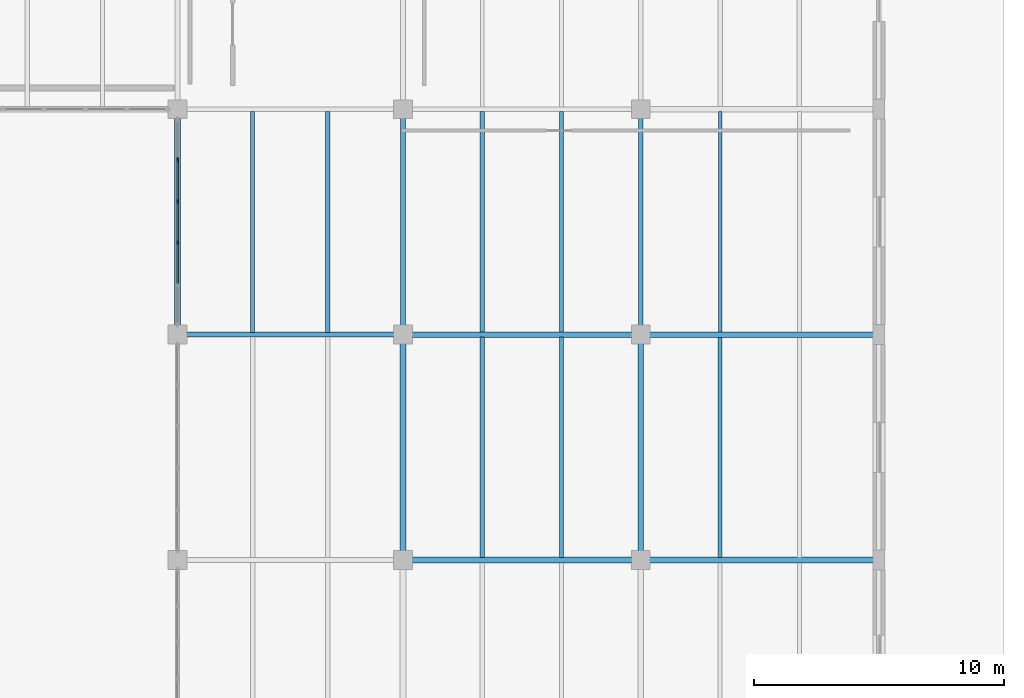
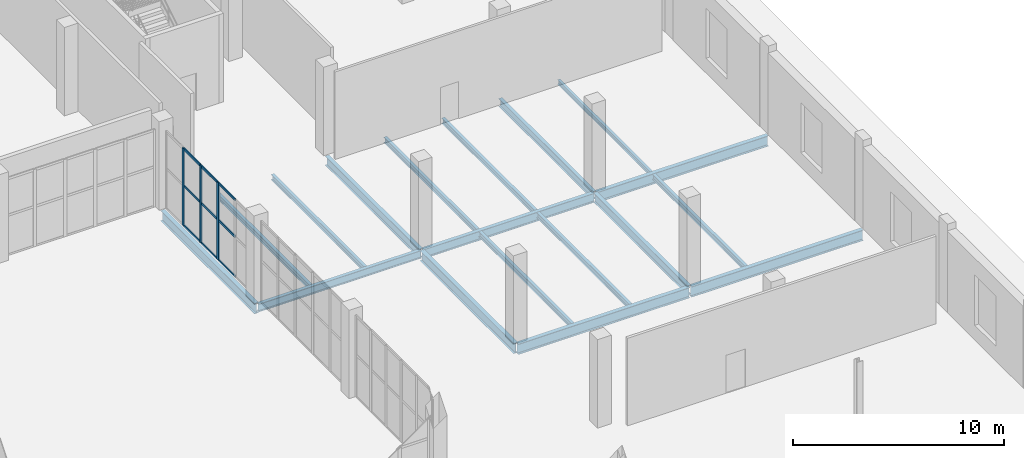
# One storey, part 60 of 103: 18 beams, 12 members, 1 element without a shape of its own.
"""IFC4 building model written with IfcOpenShell, lengths in metres."""

from ifc_helpers import new_model, si_unit, direction, frame, origin, origin_2d, place, context, subcontext, project, spatial, rectangle, i_section, extrude, material, layer, layer_set, material_profile, profile_set, type_object, element, aggregate, save


model = new_model("IFC4")

# Units and contexts
model_context = context("Model", 3, precision=1e-05, world=origin(), true_north=direction((0.0, 1.0)))
body_context = subcontext(model_context, "Body", "Model", "MODEL_VIEW")
ifc_project = project(units=[si_unit("LENGTHUNIT", "METRE"), si_unit("AREAUNIT", "SQUARE_METRE"), si_unit("VOLUMEUNIT", "CUBIC_METRE"), si_unit("PLANEANGLEUNIT", "RADIAN"), si_unit("MASSUNIT", "GRAM", prefix="KILO")], contexts=[model_context])

# Site, building, storey
site_placement = place(None, origin())
site = spatial("IfcSite", under=ifc_project, at=site_placement, CompositionType="ELEMENT")
building_placement = place(site_placement, origin())
building = spatial("IfcBuilding", under=site, at=building_placement, Name="Marnock Terrace Opera House", CompositionType="ELEMENT")
storey_placement = place(building_placement, origin())
storey = spatial("IfcBuildingStorey", under=building, at=storey_placement, Name="L00", CompositionType="ELEMENT", Elevation=0.0)

# Beams
ifc_material_1 = material(Name="Steel Grade 350 (AS/NZS 3679.1)", Category="steel")
ifc_material_profile_1 = material_profile(ifc_material_1, i_section(OverallWidth=0.19091796875, OverallDepth=0.46044921875, WebThickness=0.010009765625, FlangeThickness=0.01611328125, FilletRadius=0.011474609375, at=origin_2d()))
ifc_profile_set_1 = profile_set([ifc_material_profile_1], Name="Steel Grade 350 (AS/NZS 3679.1)")
beam_type_1 = type_object("IfcBeamType", Name="BM-GIRD-460A", PredefinedType="BEAM", material=ifc_profile_set_1)
beam_1_placement = place(storey_placement, frame((136.050048828125, 57.0, -0.5302734375), z_axis=(1.0, 0.0, 0.0), x_axis=(0.0, 1.0, 0.0)))
element("IfcBeam", 1, at=beam_1_placement, inside=storey, type_object=beam_type_1, Name="L00 girder (136.0..145.0, Y=57.0)", PredefinedType="BEAM", context=body_context, shape_type="SweptSolid", body=[
    extrude(i_section(OverallWidth=0.19091796875, OverallDepth=0.46044921875, WebThickness=0.010009765625, FlangeThickness=0.01611328125, FilletRadius=0.011474609375, at=origin_2d()), origin(), (0.0, 0.0, 1.0), 8.89990234375),
])
ifc_material_profile_2 = material_profile(ifc_material_1, i_section(OverallWidth=0.18994140625, OverallDepth=0.45751953125, WebThickness=0.009033203125, FlangeThickness=0.014404296875, FilletRadius=0.011474609375, at=origin_2d()))
ifc_profile_set_2 = profile_set([ifc_material_profile_2], Name="Steel Grade 350 (AS/NZS 3679.1)")
beam_type_2 = type_object("IfcBeamType", Name="BM-GIRD-460B", PredefinedType="BEAM", material=ifc_profile_set_2)
beam_2_placement = place(storey_placement, frame((154.5, 57.050048828125, -0.52880859375), z_axis=(0.0, 1.0, 0.0), x_axis=(-1.0, 0.0, 0.0)))
element("IfcBeam", 2, at=beam_2_placement, inside=storey, type_object=beam_type_2, Name="L00 girder (X=154.5, 57.0..66.0)", PredefinedType="BEAM", context=body_context, shape_type="SweptSolid", body=[
    extrude(i_section(OverallWidth=0.18994140625, OverallDepth=0.45751953125, WebThickness=0.009033203125, FlangeThickness=0.014404296875, FilletRadius=0.011474609375, at=origin_2d()), origin(), (0.0, 0.0, 1.0), 8.89990234375),
])
ifc_material_profile_3 = material_profile(ifc_material_1, i_section(OverallWidth=0.208984375, OverallDepth=0.532958984375, WebThickness=0.01025390625, FlangeThickness=0.015625, FilletRadius=0.013916015625, at=origin_2d()))
ifc_profile_set_3 = profile_set([ifc_material_profile_3], Name="Steel Grade 350 (AS/NZS 3679.1)")
beam_type_3 = type_object("IfcBeamType", Name="BM-GIRD-530A", PredefinedType="BEAM", material=ifc_profile_set_3)
beam_3_placement = place(storey_placement, frame((145.050048828125, 57.0, -0.56640625), z_axis=(1.0, 0.0, 0.0), x_axis=(0.0, 1.0, 0.0)))
element("IfcBeam", 3, at=beam_3_placement, inside=storey, type_object=beam_type_3, Name="L00 girder (145.0..154.5, Y=57.0)", PredefinedType="BEAM", context=body_context, shape_type="SweptSolid", body=[
    extrude(i_section(OverallWidth=0.208984375, OverallDepth=0.532958984375, WebThickness=0.01025390625, FlangeThickness=0.015625, FilletRadius=0.013916015625, at=origin_2d()), origin(), (0.0, 0.0, 1.0), 9.39990234375),
])
ifc_material_profile_4 = material_profile(ifc_material_1, i_section(OverallWidth=0.208984375, OverallDepth=0.528076171875, WebThickness=0.009521484375, FlangeThickness=0.01318359375, FilletRadius=0.013916015625, at=origin_2d()))
ifc_profile_set_4 = profile_set([ifc_material_profile_4], Name="Steel Grade 350 (AS/NZS 3679.1)")
beam_type_4 = type_object("IfcBeamType", Name="BM-GIRD-530B", PredefinedType="BEAM", material=ifc_profile_set_4)
for number, where, z_axis, x_axis, name in (
    (4, (145.0, 57.050048828125, -0.56396484375), (0.0, 1.0, 0.0), (-1.0, 0.0, 0.0), "L00 girder (X=145.0, 57.0..66.0)"),
    (5, (154.5, 48.050048828125, -0.56396484375), (0.0, 1.0, 0.0), (-1.0, 0.0, 0.0), "L00 girder (X=154.5, 48.0..57.0)"),
):
    element("IfcBeam", number, at=place(storey_placement, frame(where, z_axis=z_axis, x_axis=x_axis)), inside=storey, type_object=beam_type_4, Name=name, PredefinedType="BEAM", context=body_context, shape_type="SweptSolid", body=[
        extrude(i_section(OverallWidth=0.208984375, OverallDepth=0.528076171875, WebThickness=0.009521484375, FlangeThickness=0.01318359375, FilletRadius=0.013916015625, at=origin_2d()), origin(), (0.0, 0.0, 1.0), 8.89990234375),
    ])
ifc_material_profile_5 = material_profile(ifc_material_1, i_section(OverallWidth=0.22900390625, OverallDepth=0.611572265625, WebThickness=0.011962890625, FlangeThickness=0.01953125, FilletRadius=0.013916015625, at=origin_2d()))
ifc_profile_set_5 = profile_set([ifc_material_profile_5], Name="Steel Grade 350 (AS/NZS 3679.1)")
beam_type_5 = type_object("IfcBeamType", Name="BM-GIRD-610A", PredefinedType="BEAM", material=ifc_profile_set_5)
beam_4_placement = place(storey_placement, frame((154.550048828125, 48.0, -0.605712890625), z_axis=(1.0, 0.0, 0.0), x_axis=(0.0, 1.0, 0.0)))
element("IfcBeam", 6, at=beam_4_placement, inside=storey, type_object=beam_type_5, Name="L00 girder (154.5..164.0, Y=48.0)", PredefinedType="BEAM", context=body_context, shape_type="SweptSolid", body=[
    extrude(i_section(OverallWidth=0.22900390625, OverallDepth=0.611572265625, WebThickness=0.011962890625, FlangeThickness=0.01953125, FilletRadius=0.013916015625, at=origin_2d()), origin(), (0.0, 0.0, 1.0), 9.39990234375),
])
ifc_material_profile_6 = material_profile(ifc_material_1, i_section(OverallWidth=0.22802734375, OverallDepth=0.60693359375, WebThickness=0.01123046875, FlangeThickness=0.017333984375, FilletRadius=0.013916015625, at=origin_2d()))
ifc_profile_set_6 = profile_set([ifc_material_profile_6], Name="Steel Grade 350 (AS/NZS 3679.1)")
beam_type_6 = type_object("IfcBeamType", Name="BM-GIRD-610B", PredefinedType="BEAM", material=ifc_profile_set_6)
for number, where, z_axis, x_axis, name in (
    (7, (145.050048828125, 48.0, -0.603515625), (1.0, 0.0, 0.0), (0.0, 1.0, 0.0), "L00 girder (145.0..154.5, Y=48.0)"),
    (8, (154.550048828125, 57.0, -0.603515625), (1.0, 0.0, 0.0), (0.0, 1.0, 0.0), "L00 girder (154.5..164.0, Y=57.0)"),
):
    element("IfcBeam", number, at=place(storey_placement, frame(where, z_axis=z_axis, x_axis=x_axis)), inside=storey, type_object=beam_type_6, Name=name, PredefinedType="BEAM", context=body_context, shape_type="SweptSolid", body=[
        extrude(i_section(OverallWidth=0.22802734375, OverallDepth=0.60693359375, WebThickness=0.01123046875, FlangeThickness=0.017333984375, FilletRadius=0.013916015625, at=origin_2d()), origin(), (0.0, 0.0, 1.0), 9.39990234375),
    ])
ifc_material_profile_7 = material_profile(ifc_material_1, i_section(OverallWidth=0.22802734375, OverallDepth=0.60205078125, WebThickness=0.010498046875, FlangeThickness=0.014892578125, FilletRadius=0.013916015625, at=origin_2d()))
ifc_profile_set_7 = profile_set([ifc_material_profile_7], Name="Steel Grade 350 (AS/NZS 3679.1)")
beam_type_7 = type_object("IfcBeamType", Name="BM-GIRD-610C", PredefinedType="BEAM", material=ifc_profile_set_7)
for number, where, z_axis, x_axis, name in (
    (9, (136.0, 57.050048828125, -0.60107421875), (0.0, 1.0, 0.0), (-1.0, 0.0, 0.0), "L00 girder (X=136.0, 57.0..66.0)"),
    (10, (145.0, 48.050048828125, -0.60107421875), (0.0, 1.0, 0.0), (-1.0, 0.0, 0.0), "L00 girder (X=145.0, 48.0..57.0)"),
):
    element("IfcBeam", number, at=place(storey_placement, frame(where, z_axis=z_axis, x_axis=x_axis)), inside=storey, type_object=beam_type_7, Name=name, PredefinedType="BEAM", context=body_context, shape_type="SweptSolid", body=[
        extrude(i_section(OverallWidth=0.22802734375, OverallDepth=0.60205078125, WebThickness=0.010498046875, FlangeThickness=0.014892578125, FilletRadius=0.013916015625, at=origin_2d()), origin(), (0.0, 0.0, 1.0), 8.89990234375),
    ])
ifc_material_profile_8 = material_profile(ifc_material_1, i_section(OverallWidth=0.14599609375, OverallDepth=0.256103515625, WebThickness=0.00634765625, FlangeThickness=0.010986328125, FilletRadius=0.0087890625, at=origin_2d()))
ifc_profile_set_8 = profile_set([ifc_material_profile_8], Name="Steel Grade 350 (AS/NZS 3679.1)")
beam_type_8 = type_object("IfcBeamType", Name="BM-JOIST-250", PredefinedType="JOIST", material=ifc_profile_set_8)
beam_5_placement = place(storey_placement, frame((157.666748046875, 57.10888671875, -0.427978515625), z_axis=(0.0, 1.0, 0.0), x_axis=(-1.0, 0.0, 0.0)))
element("IfcBeam", 11, at=beam_5_placement, inside=storey, type_object=beam_type_8, Name="L00 secondary joist 17.7.1", PredefinedType="JOIST", context=body_context, shape_type="SweptSolid", body=[
    extrude(i_section(OverallWidth=0.14599609375, OverallDepth=0.256103515625, WebThickness=0.00634765625, FlangeThickness=0.010986328125, FilletRadius=0.0087890625, at=origin_2d()), origin(), (0.0, 0.0, 1.0), 8.79150390625),
])
ifc_material_profile_9 = material_profile(ifc_material_1, i_section(OverallWidth=0.166015625, OverallDepth=0.30712890625, WebThickness=0.006591796875, FlangeThickness=0.01171875, FilletRadius=0.011474609375, at=origin_2d()))
ifc_profile_set_9 = profile_set([ifc_material_profile_9], Name="Steel Grade 350 (AS/NZS 3679.1)")
beam_type_9 = type_object("IfcBeamType", Name="BM-JOIST-310A", PredefinedType="JOIST", material=ifc_profile_set_9)
for number, where, z_axis, x_axis, name in (
    (12, (139.0, 57.090576171875, -0.45361328125), (0.0, 1.0, 0.0), (-1.0, 0.0, 0.0), "L00 secondary joist 15.7.1"),
    (13, (142.0, 57.090576171875, -0.45361328125), (0.0, 1.0, 0.0), (-1.0, 0.0, 0.0), "L00 secondary joist 15.7.2"),
):
    element("IfcBeam", number, at=place(storey_placement, frame(where, z_axis=z_axis, x_axis=x_axis)), inside=storey, type_object=beam_type_9, Name=name, PredefinedType="JOIST", context=body_context, shape_type="SweptSolid", body=[
        extrude(i_section(OverallWidth=0.166015625, OverallDepth=0.30712890625, WebThickness=0.006591796875, FlangeThickness=0.01171875, FilletRadius=0.011474609375, at=origin_2d()), origin(), (0.0, 0.0, 1.0), 8.825439453125),
    ])
for number, where, z_axis, x_axis, name in (
    (14, (148.166748046875, 48.10888671875, -0.45361328125), (0.0, 1.0, 0.0), (-1.0, 0.0, 0.0), "L00 secondary joist 16.6.1"),
    (15, (151.333251953125, 48.10888671875, -0.45361328125), (0.0, 1.0, 0.0), (-1.0, 0.0, 0.0), "L00 secondary joist 16.6.2"),
):
    element("IfcBeam", number, at=place(storey_placement, frame(where, z_axis=z_axis, x_axis=x_axis)), inside=storey, type_object=beam_type_9, Name=name, PredefinedType="JOIST", context=body_context, shape_type="SweptSolid", body=[
        extrude(i_section(OverallWidth=0.166015625, OverallDepth=0.30712890625, WebThickness=0.006591796875, FlangeThickness=0.01171875, FilletRadius=0.011474609375, at=origin_2d()), origin(), (0.0, 0.0, 1.0), 8.79150390625),
    ])
ifc_material_profile_10 = material_profile(ifc_material_1, i_section(OverallWidth=0.1650390625, OverallDepth=0.3037109375, WebThickness=0.006103515625, FlangeThickness=0.01025390625, FilletRadius=0.011474609375, at=origin_2d()))
ifc_profile_set_10 = profile_set([ifc_material_profile_10], Name="Steel Grade 350 (AS/NZS 3679.1)")
beam_type_10 = type_object("IfcBeamType", Name="BM-JOIST-310B", PredefinedType="JOIST", material=ifc_profile_set_10)
for number, where, z_axis, x_axis, name in (
    (16, (148.166748046875, 57.099609375, -0.451904296875), (0.0, 1.0, 0.0), (-1.0, 0.0, 0.0), "L00 secondary joist 16.7.1"),
    (17, (151.333251953125, 57.099609375, -0.451904296875), (0.0, 1.0, 0.0), (-1.0, 0.0, 0.0), "L00 secondary joist 16.7.2"),
):
    element("IfcBeam", number, at=place(storey_placement, frame(where, z_axis=z_axis, x_axis=x_axis)), inside=storey, type_object=beam_type_10, Name=name, PredefinedType="JOIST", context=body_context, shape_type="SweptSolid", body=[
        extrude(i_section(OverallWidth=0.1650390625, OverallDepth=0.3037109375, WebThickness=0.006103515625, FlangeThickness=0.01025390625, FilletRadius=0.011474609375, at=origin_2d()), origin(), (0.0, 0.0, 1.0), 8.809814453125),
    ])
beam_6_placement = place(storey_placement, frame((157.666748046875, 48.109619140625, -0.451904296875), z_axis=(0.0, 1.0, 0.0), x_axis=(-1.0, 0.0, 0.0)))
element("IfcBeam", 18, at=beam_6_placement, inside=storey, type_object=beam_type_10, Name="L00 secondary joist 17.6.1", PredefinedType="JOIST", context=body_context, shape_type="SweptSolid", body=[
    extrude(i_section(OverallWidth=0.1650390625, OverallDepth=0.3037109375, WebThickness=0.006103515625, FlangeThickness=0.01025390625, FilletRadius=0.011474609375, at=origin_2d()), origin(), (0.0, 0.0, 1.0), 8.781494140625),
])

# Curtain wall, members
ifc_material_2 = material(Name="Anodised architectural bronze aluminium framing", Category="aluminium")
ifc_layer = layer(ifc_material_2, 0.159912109375)
ifc_layer_set = layer_set([ifc_layer], Name="Anodised architectural bronze aluminium framing")
curtain_wall_type = type_object("IfcCurtainWallType", Name="CW-LOGGIA-86x51", PredefinedType="NOTDEFINED", material=ifc_layer_set)
curtain_wall_placement = place(storey_placement, origin())
curtain_wall = element("IfcCurtainWall", 19, at=curtain_wall_placement, inside=storey, type_object=curtain_wall_type, Name="L00 glazed Beaux-Arts colonnade curtain wall CW-V5-L00-CE3", PredefinedType="NOTDEFINED")
ifc_material_profile_11 = material_profile(ifc_material_2, rectangle(XDim=0.06494140625, YDim=0.179931640625, at=origin_2d()))
ifc_profile_set_11 = profile_set([ifc_material_profile_11], Name="Anodised architectural bronze aluminium framing")
member_type_1 = type_object("IfcMemberType", Name="CWM-65x180", PredefinedType="MULLION", material=ifc_profile_set_11)
member_1_placement = place(storey_placement, frame((136.0, 60.67431640625, 0.0), z_axis=(0.0, 0.0, 1.0), x_axis=(-1.0, 0.0, 0.0)))
member_1 = element("IfcMember", 20, at=member_1_placement, type_object=member_type_1, Name="CW-96 mullion 3", PredefinedType="MULLION", context=body_context, shape_type="SweptSolid", body=[
    extrude(rectangle(XDim=0.06494140625, YDim=0.179931640625, at=origin_2d()), origin(), (0.0, 0.0, 1.0), 4.488037109375),
])
member_2_placement = place(storey_placement, frame((136.0, 62.32568359375, 0.0), z_axis=(0.0, 0.0, 1.0), x_axis=(-1.0, 0.0, 0.0)))
member_2 = element("IfcMember", 21, at=member_2_placement, type_object=member_type_1, Name="CW-96 mullion 4", PredefinedType="MULLION", context=body_context, shape_type="SweptSolid", body=[
    extrude(rectangle(XDim=0.06494140625, YDim=0.179931640625, at=origin_2d()), origin(), (0.0, 0.0, 1.0), 4.488037109375),
])
member_3_placement = place(storey_placement, frame((136.0, 63.977294921875, 0.0), z_axis=(0.0, 0.0, 1.0), x_axis=(-1.0, 0.0, 0.0)))
member_3 = element("IfcMember", 22, at=member_3_placement, type_object=member_type_1, Name="CW-96 mullion 5", PredefinedType="MULLION", context=body_context, shape_type="SweptSolid", body=[
    extrude(rectangle(XDim=0.06494140625, YDim=0.179931640625, at=origin_2d()), origin(), (0.0, 0.0, 1.0), 4.488037109375),
])
ifc_material_profile_12 = material_profile(ifc_material_2, rectangle(XDim=0.06005859375, YDim=0.1298828125, at=origin_2d()))
ifc_profile_set_12 = profile_set([ifc_material_profile_12], Name="Anodised architectural bronze aluminium framing")
member_type_2 = type_object("IfcMemberType", Name="CWT-60x130", PredefinedType="USERDEFINED", material=ifc_profile_set_12)
member_4_placement = place(storey_placement, frame((136.0, 59.052490234375, 0.030029296875), z_axis=(0.0, 1.0, 0.0), x_axis=(-1.0, 0.0, 0.0)))
member_4 = element("IfcMember", 23, at=member_4_placement, type_object=member_type_2, Name="CW-96 transom 2.1", ObjectType="TRANSOM", PredefinedType="USERDEFINED", context=body_context, shape_type="SweptSolid", body=[
    extrude(rectangle(XDim=0.06005859375, YDim=0.1298828125, at=origin_2d()), origin(), (0.0, 0.0, 1.0), 1.591796875),
])
member_5_placement = place(storey_placement, frame((136.0, 59.052490234375, 2.333740234375), z_axis=(0.0, 1.0, 0.0), x_axis=(-1.0, 0.0, 0.0)))
member_5 = element("IfcMember", 24, at=member_5_placement, type_object=member_type_2, Name="CW-96 transom 2.2", ObjectType="TRANSOM", PredefinedType="USERDEFINED", context=body_context, shape_type="SweptSolid", body=[
    extrude(rectangle(XDim=0.06005859375, YDim=0.1298828125, at=origin_2d()), origin(), (0.0, 0.0, 1.0), 1.591796875),
])
member_6_placement = place(storey_placement, frame((136.0, 59.052490234375, 4.4580078125), z_axis=(0.0, 1.0, 0.0), x_axis=(-1.0, 0.0, 0.0)))
member_6 = element("IfcMember", 25, at=member_6_placement, type_object=member_type_2, Name="CW-96 transom 2.3", ObjectType="TRANSOM", PredefinedType="USERDEFINED", context=body_context, shape_type="SweptSolid", body=[
    extrude(rectangle(XDim=0.06005859375, YDim=0.1298828125, at=origin_2d()), origin(), (0.0, 0.0, 1.0), 1.591796875),
])
member_7_placement = place(storey_placement, frame((136.0, 60.7041015625, 0.030029296875), z_axis=(0.0, 1.0, 0.0), x_axis=(-1.0, 0.0, 0.0)))
member_7 = element("IfcMember", 26, at=member_7_placement, type_object=member_type_2, Name="CW-96 transom 3.1", ObjectType="TRANSOM", PredefinedType="USERDEFINED", context=body_context, shape_type="SweptSolid", body=[
    extrude(rectangle(XDim=0.06005859375, YDim=0.1298828125, at=origin_2d()), origin(), (0.0, 0.0, 1.0), 1.591796875),
])
member_8_placement = place(storey_placement, frame((136.0, 60.7041015625, 2.333740234375), z_axis=(0.0, 1.0, 0.0), x_axis=(-1.0, 0.0, 0.0)))
member_8 = element("IfcMember", 27, at=member_8_placement, type_object=member_type_2, Name="CW-96 transom 3.2", ObjectType="TRANSOM", PredefinedType="USERDEFINED", context=body_context, shape_type="SweptSolid", body=[
    extrude(rectangle(XDim=0.06005859375, YDim=0.1298828125, at=origin_2d()), origin(), (0.0, 0.0, 1.0), 1.591796875),
])
member_9_placement = place(storey_placement, frame((136.0, 60.7041015625, 4.4580078125), z_axis=(0.0, 1.0, 0.0), x_axis=(-1.0, 0.0, 0.0)))
member_9 = element("IfcMember", 28, at=member_9_placement, type_object=member_type_2, Name="CW-96 transom 3.3", ObjectType="TRANSOM", PredefinedType="USERDEFINED", context=body_context, shape_type="SweptSolid", body=[
    extrude(rectangle(XDim=0.06005859375, YDim=0.1298828125, at=origin_2d()), origin(), (0.0, 0.0, 1.0), 1.591796875),
])
member_10_placement = place(storey_placement, frame((136.0, 62.355712890625, 0.030029296875), z_axis=(0.0, 1.0, 0.0), x_axis=(-1.0, 0.0, 0.0)))
member_10 = element("IfcMember", 29, at=member_10_placement, type_object=member_type_2, Name="CW-96 transom 4.1", ObjectType="TRANSOM", PredefinedType="USERDEFINED", context=body_context, shape_type="SweptSolid", body=[
    extrude(rectangle(XDim=0.06005859375, YDim=0.1298828125, at=origin_2d()), origin(), (0.0, 0.0, 1.0), 1.591796875),
])
member_11_placement = place(storey_placement, frame((136.0, 62.355712890625, 2.333740234375), z_axis=(0.0, 1.0, 0.0), x_axis=(-1.0, 0.0, 0.0)))
member_11 = element("IfcMember", 30, at=member_11_placement, type_object=member_type_2, Name="CW-96 transom 4.2", ObjectType="TRANSOM", PredefinedType="USERDEFINED", context=body_context, shape_type="SweptSolid", body=[
    extrude(rectangle(XDim=0.06005859375, YDim=0.1298828125, at=origin_2d()), origin(), (0.0, 0.0, 1.0), 1.591796875),
])
member_12_placement = place(storey_placement, frame((136.0, 62.355712890625, 4.4580078125), z_axis=(0.0, 1.0, 0.0), x_axis=(-1.0, 0.0, 0.0)))
member_12 = element("IfcMember", 31, at=member_12_placement, type_object=member_type_2, Name="CW-96 transom 4.3", ObjectType="TRANSOM", PredefinedType="USERDEFINED", context=body_context, shape_type="SweptSolid", body=[
    extrude(rectangle(XDim=0.06005859375, YDim=0.1298828125, at=origin_2d()), origin(), (0.0, 0.0, 1.0), 1.591796875),
])
aggregate(curtain_wall, [member_1, member_2, member_3, member_4, member_5, member_6, member_7, member_8, member_9, member_10, member_11, member_12])

save(model, "model.ifc")
